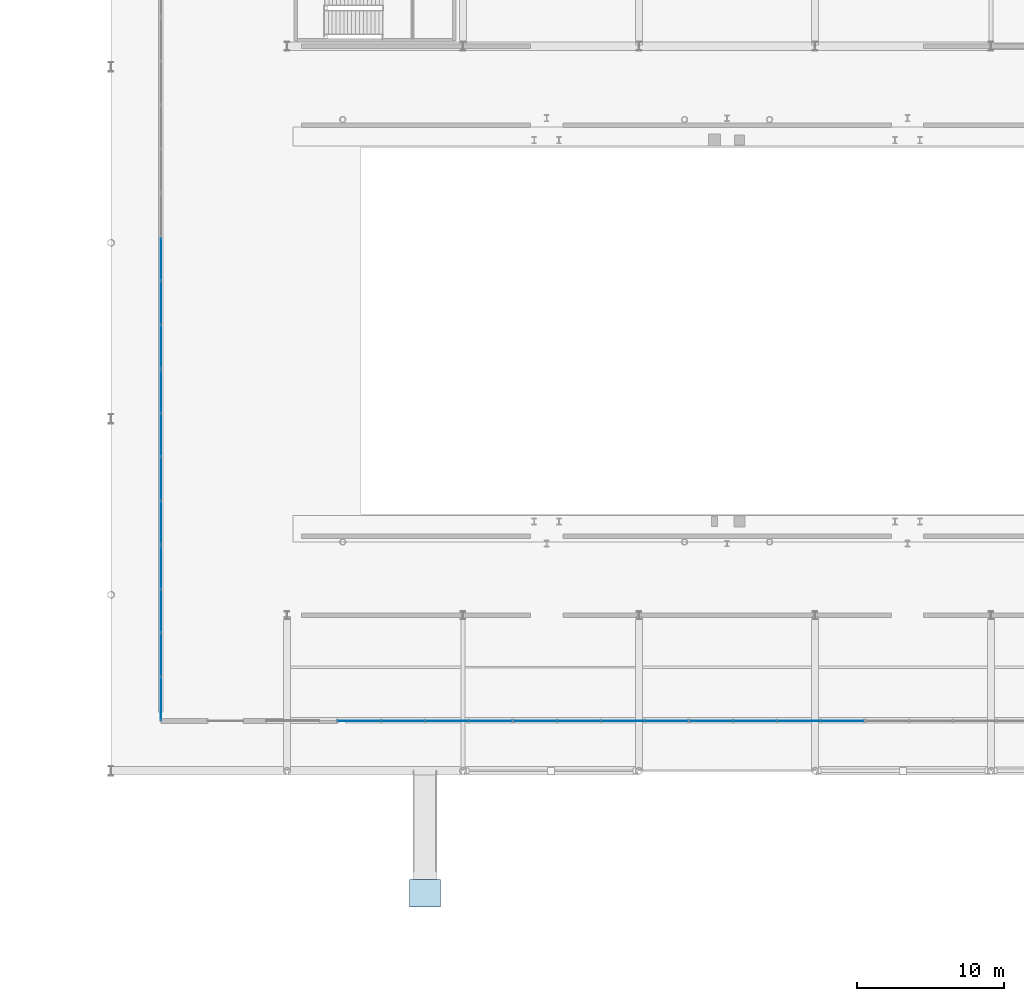
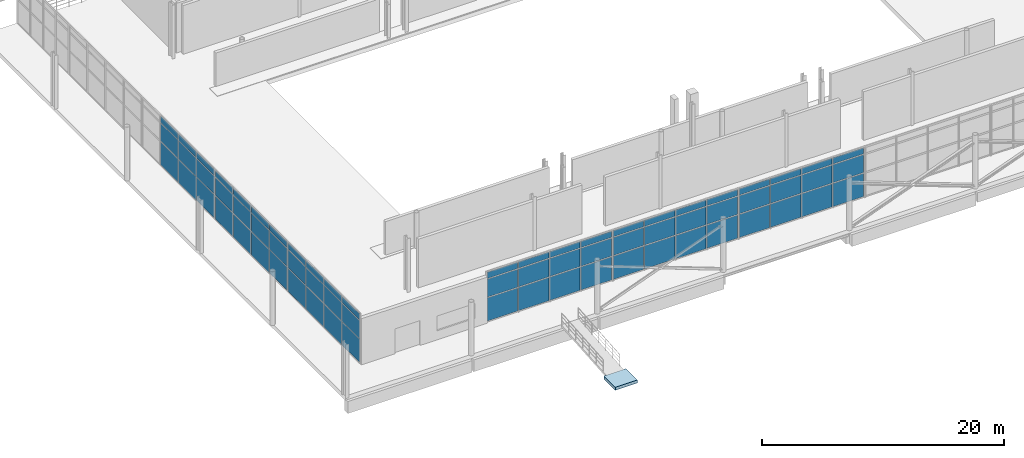
# One storey, part 46 of 85: 69 plates, 1 slab, 6 elements without a shape of their own.
"""IFC4 building model written with IfcOpenShell, lengths in metres."""

import ifcopenshell
import ifcopenshell.guid

model = None  # the IFC model being written
_history = None  # IfcOwnerHistory: only IFC2X3 demands one
_inside = {}  # id of a spatial element -> (the spatial element, [elements in it])
_under = {}  # id of a project, library or spatial element -> (it, [spatial elements below it])
_declared = {}  # id of a project -> (the project, [libraries it declares])
_typed = {}  # id of a type object -> (the type object, [elements of that type])
_made_of = {}  # id of a material, layer set ... -> (it, [elements and type objects made of it])


def new_model(schema):
    """Start an empty IFC model of exactly this schema.

    Asked for "IFC4X3", IfcOpenShell would pick the latest addendum, in which some entities
    have other attributes; the version numbers below select the first issue.
    IFC2X3 requires an IfcOwnerHistory on every rooted entity: one is made here for all.
    """
    global model, _history
    if schema == "IFC4X3":
        model = ifcopenshell.file(schema_version=(4, 3, 0, 0))
    else:
        model = ifcopenshell.file(schema=schema)
    _inside.clear()
    _under.clear()
    _declared.clear()
    _typed.clear()
    _made_of.clear()
    _history = None
    if model.schema == "IFC2X3":
        org = make("IfcOrganization", Name="unknown")
        user = make(
            "IfcPersonAndOrganization",
            ThePerson=make("IfcPerson", FamilyName="unknown"),
            TheOrganization=org,
        )
        app = make(
            "IfcApplication",
            ApplicationDeveloper=org,
            Version="unknown",
            ApplicationFullName="unknown",
            ApplicationIdentifier="unknown",
        )
        _history = make(
            "IfcOwnerHistory",
            OwningUser=user,
            OwningApplication=app,
            ChangeAction="ADDED",
            CreationDate=0,
        )
    return model


def make(cls, **values):
    """One entity of the class cls with the attributes given. An attribute that is None is left unset."""
    return model.create_entity(
        cls, **{name: value for name, value in values.items() if value is not None}
    )


def rooted(cls, **values):
    """An entity with a GlobalId (a new one), such as an element, a storey or a relation."""
    return make(cls, GlobalId=ifcopenshell.guid.new(), OwnerHistory=_history, **values)


def si_unit(unit_type, name, prefix=None):
    """IfcSIUnit, for example si_unit("LENGTHUNIT", "METRE", prefix="MILLI")."""
    return make("IfcSIUnit", UnitType=unit_type, Prefix=prefix, Name=name)


def assignment(units):
    """IfcUnitAssignment: the units of a project."""
    return None if units is None else make("IfcUnitAssignment", Units=units)


def point(xyz):
    """IfcCartesianPoint."""
    return None if xyz is None else make("IfcCartesianPoint", Coordinates=xyz)


def direction(xyz):
    """IfcDirection."""
    return None if xyz is None else make("IfcDirection", DirectionRatios=xyz)


def frame(location, z_axis=None, x_axis=None):
    """IfcAxis2Placement3D, a coordinate frame: its origin and axes. An axis left out is left unset."""
    return make(
        "IfcAxis2Placement3D",
        Location=point(location),
        Axis=direction(z_axis),
        RefDirection=direction(x_axis),
    )


def frame_2d(location, x_axis=None):
    """IfcAxis2Placement2D, a coordinate frame in the plane: its origin and x axis."""
    return make(
        "IfcAxis2Placement2D", Location=point(location), RefDirection=direction(x_axis)
    )


def origin():
    """The frame at (0, 0, 0) with its axes left unset."""
    return frame((0.0, 0.0, 0.0))


def origin_2d():
    """The frame at (0, 0) in the plane with its x axis left unset."""
    return frame_2d((0.0, 0.0))


def place(relative_to, where):
    """IfcLocalPlacement: puts the frame where relative to a parent placement (None: the world)."""
    return make(
        "IfcLocalPlacement", PlacementRelTo=relative_to, RelativePlacement=where
    )


def context(
    kind, dimensions, precision=None, world=None, true_north=None, identifier=None
):
    """IfcGeometricRepresentationContext, for example the 3D "Model" context."""
    return make(
        "IfcGeometricRepresentationContext",
        ContextIdentifier=identifier,
        ContextType=kind,
        CoordinateSpaceDimension=dimensions,
        Precision=precision,
        WorldCoordinateSystem=world,
        TrueNorth=true_north,
    )


def subcontext(parent, identifier, kind, view, scale=None):
    """IfcGeometricRepresentationSubContext, for example "Body" below "Model"."""
    return make(
        "IfcGeometricRepresentationSubContext",
        ContextIdentifier=identifier,
        ContextType=kind,
        ParentContext=parent,
        TargetScale=scale,
        TargetView=view,
    )


def project(units=None, contexts=None):
    """IfcProject with its units and contexts."""
    return rooted(
        "IfcProject",
        Name="project",
        RepresentationContexts=contexts,
        UnitsInContext=assignment(units),
    )


def spatial(cls, under=None, at=None, **own):
    """A site, building, storey or space (cls), placed at a placement, below another one or the project."""
    s = rooted(cls, ObjectPlacement=at, **own)
    if under is not None:
        _under.setdefault(under.id(), (under, []))[1].append(s)
    return s


def polyline(points):
    """IfcPolyline through the points."""
    return make("IfcPolyline", Points=[point(p) for p in points])


def profile(cls, at=None, kind="AREA", **sizes):
    """A parametric profile (cls). Its sizes go by their IFC names, for example OverallWidth=200.0."""
    return make(cls, ProfileType=kind, Position=at, **sizes)


def rectangle(**sizes):
    """IfcRectangleProfileDef."""
    return profile("IfcRectangleProfileDef", **sizes)


def outline(outer, holes=None, kind="AREA"):
    """IfcArbitraryClosedProfileDef: a profile drawn as a closed curve; with holes, ...WithVoids."""
    if holes is None:
        return make("IfcArbitraryClosedProfileDef", ProfileType=kind, OuterCurve=outer)
    return make(
        "IfcArbitraryProfileDefWithVoids",
        ProfileType=kind,
        OuterCurve=outer,
        InnerCurves=holes,
    )


def extrude(swept, where, along, depth):
    """IfcExtrudedAreaSolid: the profile swept, set in the frame where, extruded along a direction by depth."""
    return make(
        "IfcExtrudedAreaSolid",
        SweptArea=swept,
        Position=where,
        ExtrudedDirection=direction(along),
        Depth=depth,
    )


def shape(context_of_items, identifier, shape_type, items):
    """IfcShapeRepresentation: the items that make up one representation, for example the "Body"."""
    return make(
        "IfcShapeRepresentation",
        ContextOfItems=context_of_items,
        RepresentationIdentifier=identifier,
        RepresentationType=shape_type,
        Items=items,
    )


def material(Name=None, Category=None):
    """IfcMaterial."""
    return make("IfcMaterial", Name=Name, Category=Category)


def layer(
    of_material, thickness, ventilated=None, Name=None, Category=None, Priority=None
):
    """IfcMaterialLayer: one layer of a wall or slab, of a material (None: an air gap)."""
    return make(
        "IfcMaterialLayer",
        Material=of_material,
        LayerThickness=thickness,
        IsVentilated=ventilated,
        Name=Name,
        Category=Category,
        Priority=Priority,
    )


def layer_set(layers, Name=None):
    """IfcMaterialLayerSet."""
    return make("IfcMaterialLayerSet", MaterialLayers=layers, LayerSetName=Name)


def made_of(thing, what):
    """Note that an element or type object is made of a material, layer set ...; save() writes the relation."""
    if what is not None:
        _made_of.setdefault(what.id(), (what, []))[1].append(thing)
    return thing


def type_object(cls, material=None, **own):
    """A type object (cls), such as IfcWallType, which elements share."""
    return made_of(rooted(cls, **own), material)


def element(
    cls,
    number,
    at=None,
    inside=None,
    cuts=None,
    type_object=None,
    material=None,
    context=None,
    identifier="Body",
    shape_type=None,
    held_by="IfcProductDefinitionShape",
    body=None,
    shapes=None,
    **own,
):
    """One element of the class cls, such as IfcWall. Its Tag is "e" and its number.

    at: its placement. inside: the storey or other place that contains it. cuts: it is an
    opening in that element (IfcRelVoidsElement). A single representation is given by context,
    identifier, shape_type and body (its items); several are given by shapes. held_by: the class
    of the entity that holds the representations. save() writes the other relations.
    """
    e = rooted(cls, Tag="e%d" % number, ObjectPlacement=at, **own)
    if body is not None:
        shapes = [shape(context, identifier, shape_type, body)]
    if shapes is not None:
        e.Representation = make(held_by, Representations=shapes)
    if inside is not None:
        _inside.setdefault(inside.id(), (inside, []))[1].append(e)
    if cuts is not None:
        rooted(
            "IfcRelVoidsElement", RelatingBuildingElement=cuts, RelatedOpeningElement=e
        )
    if type_object is not None:
        _typed.setdefault(type_object.id(), (type_object, []))[1].append(e)
    return made_of(e, material)


def aggregate(whole, parts):
    """IfcRelAggregates: a whole, such as a stair, and the parts it consists of."""
    return rooted("IfcRelAggregates", RelatingObject=whole, RelatedObjects=parts)


def save(model, path):
    """Write the relations noted so far, then the file.

    IfcRelAggregates (storeys below a building ...), IfcRelContainedInSpatialStructure (elements
    in a storey), IfcRelDefinesByType, IfcRelAssociatesMaterial and IfcRelDeclares: one each for
    every whole, place, type object, material and project.
    """
    for whole, parts in _under.values():
        aggregate(whole, parts)
    for where, things in _inside.values():
        rooted(
            "IfcRelContainedInSpatialStructure",
            RelatedElements=things,
            RelatingStructure=where,
        )
    for kind, things in _typed.values():
        rooted("IfcRelDefinesByType", RelatedObjects=things, RelatingType=kind)
    for what, things in _made_of.values():
        rooted("IfcRelAssociatesMaterial", RelatedObjects=things, RelatingMaterial=what)
    for by, libraries in _declared.values():
        rooted("IfcRelDeclares", RelatingContext=by, RelatedDefinitions=libraries)
    model.write(path)


model = new_model("IFC4")

# Units and contexts
model_context = context("Model", 3, precision=1e-05, world=origin(), true_north=direction((0.0, 1.0)))
body_context = subcontext(model_context, "Body", "Model", "MODEL_VIEW")
ifc_project = project(units=[si_unit("LENGTHUNIT", "METRE"), si_unit("AREAUNIT", "SQUARE_METRE"), si_unit("VOLUMEUNIT", "CUBIC_METRE"), si_unit("PLANEANGLEUNIT", "RADIAN"), si_unit("MASSUNIT", "GRAM", prefix="KILO"), si_unit("THERMODYNAMICTEMPERATUREUNIT", "KELVIN"), si_unit("POWERUNIT", "WATT")], contexts=[model_context])

# Site, building, storey
site_placement = place(None, origin())
site = spatial("IfcSite", under=ifc_project, at=site_placement, CompositionType="ELEMENT")
building_placement = place(site_placement, origin())
building = spatial("IfcBuilding", under=site, at=building_placement, Name="Solmara Park Aquatics Centre", CompositionType="ELEMENT")
storey_placement = place(building_placement, origin())
storey = spatial("IfcBuildingStorey", under=building, at=storey_placement, Name="L00", CompositionType="ELEMENT", Elevation=0.0)

# Curtain wall, plates
ifc_material_1 = material(Name="Anodised Aluminium Curtain Wall Framing", Category="aluminium")
curtain_wall_type = type_object("IfcCurtainWallType", Name="ARC-CW-SYS01", PredefinedType="USERDEFINED", material=ifc_material_1)
curtain_wall_1_placement = place(storey_placement, origin())
curtain_wall_1 = element("IfcCurtainWall", 1, at=curtain_wall_1_placement, inside=storey, type_object=curtain_wall_type, Name="Curtain Wall CW-001", ObjectType="CURTAIN WALL", PredefinedType="USERDEFINED")
ifc_material_2 = material(Name="Double Low-E Solar-Control Glazing", Category="glass")
ifc_layer_1 = layer(ifc_material_2, 0.035888671875, Name="Double Low-E Solar-Control Glazing")
ifc_layer_set_1 = layer_set([ifc_layer_1], Name="Double Low-E Solar-Control Glazing")
plate_type_1 = type_object("IfcPlateType", Name="ARC-CWP-GLZ36-2900x1800", PredefinedType="CURTAIN_PANEL", material=ifc_layer_set_1)
plate_1_placement = place(storey_placement, frame((29.510009765625, 16.0, 2.48974609375), z_axis=(0.0, 0.0, 1.0), x_axis=(1.0, 0.0, 0.0)))
plate_1 = element("IfcPlate", 2, at=plate_1_placement, type_object=plate_type_1, Name="CW-001 panel 2", PredefinedType="CURTAIN_PANEL", context=body_context, shape_type="SweptSolid", body=[
    extrude(rectangle(XDim=2.89990234375, YDim=0.035888671875, at=origin_2d()), origin(), (0.0, 0.0, 1.0), 1.800048828125),
])
plate_2_placement = place(storey_placement, frame((32.489990234375, 16.0, 2.48974609375), z_axis=(0.0, 0.0, 1.0), x_axis=(1.0, 0.0, 0.0)))
plate_2 = element("IfcPlate", 3, at=plate_2_placement, type_object=plate_type_1, Name="CW-001 panel 5", PredefinedType="CURTAIN_PANEL", context=body_context, shape_type="SweptSolid", body=[
    extrude(rectangle(XDim=2.89990234375, YDim=0.035888671875, at=origin_2d()), origin(), (0.0, 0.0, 1.0), 1.800048828125),
])
plate_3_placement = place(storey_placement, frame((35.469970703125, 16.0, 2.48974609375), z_axis=(0.0, 0.0, 1.0), x_axis=(1.0, 0.0, 0.0)))
plate_3 = element("IfcPlate", 4, at=plate_3_placement, type_object=plate_type_1, Name="CW-001 panel 8", PredefinedType="CURTAIN_PANEL", context=body_context, shape_type="SweptSolid", body=[
    extrude(rectangle(XDim=2.89990234375, YDim=0.035888671875, at=origin_2d()), origin(), (0.0, 0.0, 1.0), 1.800048828125),
])
plate_4_placement = place(storey_placement, frame((38.449951171875, 16.0, 2.48974609375), z_axis=(0.0, 0.0, 1.0), x_axis=(1.0, 0.0, 0.0)))
plate_4 = element("IfcPlate", 5, at=plate_4_placement, type_object=plate_type_1, Name="CW-001 panel 11", PredefinedType="CURTAIN_PANEL", context=body_context, shape_type="SweptSolid", body=[
    extrude(rectangle(XDim=2.89990234375, YDim=0.035888671875, at=origin_2d()), origin(), (0.0, 0.0, 1.0), 1.800048828125),
])

curtain_wall_2_placement = place(storey_placement, origin())
curtain_wall_2 = element("IfcCurtainWall", 6, at=curtain_wall_2_placement, inside=storey, type_object=curtain_wall_type, Name="Curtain Wall CW-003", ObjectType="CURTAIN WALL", PredefinedType="USERDEFINED")
plate_5_placement = place(storey_placement, frame((41.510009765625, 16.0, 2.48974609375), z_axis=(0.0, 0.0, 1.0), x_axis=(1.0, 0.0, 0.0)))
plate_5 = element("IfcPlate", 7, at=plate_5_placement, type_object=plate_type_1, Name="CW-003 panel 2", PredefinedType="CURTAIN_PANEL", context=body_context, shape_type="SweptSolid", body=[
    extrude(rectangle(XDim=2.89990234375, YDim=0.035888671875, at=origin_2d()), origin(), (0.0, 0.0, 1.0), 1.800048828125),
])
plate_6_placement = place(storey_placement, frame((44.489990234375, 16.0, 2.48974609375), z_axis=(0.0, 0.0, 1.0), x_axis=(1.0, 0.0, 0.0)))
plate_6 = element("IfcPlate", 8, at=plate_6_placement, type_object=plate_type_1, Name="CW-003 panel 5", PredefinedType="CURTAIN_PANEL", context=body_context, shape_type="SweptSolid", body=[
    extrude(rectangle(XDim=2.89990234375, YDim=0.035888671875, at=origin_2d()), origin(), (0.0, 0.0, 1.0), 1.800048828125),
])
plate_7_placement = place(storey_placement, frame((47.469970703125, 16.0, 2.48974609375), z_axis=(0.0, 0.0, 1.0), x_axis=(1.0, 0.0, 0.0)))
plate_7 = element("IfcPlate", 9, at=plate_7_placement, type_object=plate_type_1, Name="CW-003 panel 8", PredefinedType="CURTAIN_PANEL", context=body_context, shape_type="SweptSolid", body=[
    extrude(rectangle(XDim=2.89990234375, YDim=0.035888671875, at=origin_2d()), origin(), (0.0, 0.0, 1.0), 1.800048828125),
])
plate_8_placement = place(storey_placement, frame((50.449951171875, 16.0, 2.48974609375), z_axis=(0.0, 0.0, 1.0), x_axis=(1.0, 0.0, 0.0)))
plate_8 = element("IfcPlate", 10, at=plate_8_placement, type_object=plate_type_1, Name="CW-003 panel 11", PredefinedType="CURTAIN_PANEL", context=body_context, shape_type="SweptSolid", body=[
    extrude(rectangle(XDim=2.89990234375, YDim=0.035888671875, at=origin_2d()), origin(), (0.0, 0.0, 1.0), 1.800048828125),
])

curtain_wall_3_placement = place(storey_placement, origin())
curtain_wall_3 = element("IfcCurtainWall", 11, at=curtain_wall_3_placement, inside=storey, type_object=curtain_wall_type, Name="Curtain Wall CW-005", ObjectType="CURTAIN WALL", PredefinedType="USERDEFINED")
plate_9_placement = place(storey_placement, frame((53.510009765625, 16.0, 2.48974609375), z_axis=(0.0, 0.0, 1.0), x_axis=(1.0, 0.0, 0.0)))
plate_9 = element("IfcPlate", 12, at=plate_9_placement, type_object=plate_type_1, Name="CW-005 panel 2", PredefinedType="CURTAIN_PANEL", context=body_context, shape_type="SweptSolid", body=[
    extrude(rectangle(XDim=2.89990234375, YDim=0.035888671875, at=origin_2d()), origin(), (0.0, 0.0, 1.0), 1.800048828125),
])
plate_10_placement = place(storey_placement, frame((56.489990234375, 16.0, 2.48974609375), z_axis=(0.0, 0.0, 1.0), x_axis=(1.0, 0.0, 0.0)))
plate_10 = element("IfcPlate", 13, at=plate_10_placement, type_object=plate_type_1, Name="CW-005 panel 5", PredefinedType="CURTAIN_PANEL", context=body_context, shape_type="SweptSolid", body=[
    extrude(rectangle(XDim=2.89990234375, YDim=0.035888671875, at=origin_2d()), origin(), (0.0, 0.0, 1.0), 1.800048828125),
])
plate_11_placement = place(storey_placement, frame((59.469970703125, 16.0, 2.48974609375), z_axis=(0.0, 0.0, 1.0), x_axis=(1.0, 0.0, 0.0)))
plate_11 = element("IfcPlate", 14, at=plate_11_placement, type_object=plate_type_1, Name="CW-005 panel 8", PredefinedType="CURTAIN_PANEL", context=body_context, shape_type="SweptSolid", body=[
    extrude(rectangle(XDim=2.89990234375, YDim=0.035888671875, at=origin_2d()), origin(), (0.0, 0.0, 1.0), 1.800048828125),
])
plate_12_placement = place(storey_placement, frame((62.449951171875, 16.0, 2.48974609375), z_axis=(0.0, 0.0, 1.0), x_axis=(1.0, 0.0, 0.0)))
plate_12 = element("IfcPlate", 15, at=plate_12_placement, type_object=plate_type_1, Name="CW-005 panel 11", PredefinedType="CURTAIN_PANEL", context=body_context, shape_type="SweptSolid", body=[
    extrude(rectangle(XDim=2.89990234375, YDim=0.035888671875, at=origin_2d()), origin(), (0.0, 0.0, 1.0), 1.800048828125),
])

curtain_wall_4_placement = place(storey_placement, origin())
curtain_wall_4 = element("IfcCurtainWall", 16, at=curtain_wall_4_placement, inside=storey, type_object=curtain_wall_type, Name="Curtain Wall CW-011", ObjectType="CURTAIN WALL", PredefinedType="USERDEFINED")
plate_13_placement = place(storey_placement, frame((16.0, 17.510009765625, 2.48974609375), z_axis=(0.0, 0.0, 1.0), x_axis=(0.0, 1.0, 0.0)))
plate_13 = element("IfcPlate", 17, at=plate_13_placement, type_object=plate_type_1, Name="CW-011 panel 2", PredefinedType="CURTAIN_PANEL", context=body_context, shape_type="SweptSolid", body=[
    extrude(rectangle(XDim=2.89990234375, YDim=0.035888671875, at=origin_2d()), origin(), (0.0, 0.0, 1.0), 1.800048828125),
])
plate_14_placement = place(storey_placement, frame((16.0, 20.489990234375, 2.48974609375), z_axis=(0.0, 0.0, 1.0), x_axis=(0.0, 1.0, 0.0)))
plate_14 = element("IfcPlate", 18, at=plate_14_placement, type_object=plate_type_1, Name="CW-011 panel 5", PredefinedType="CURTAIN_PANEL", context=body_context, shape_type="SweptSolid", body=[
    extrude(rectangle(XDim=2.89990234375, YDim=0.035888671875, at=origin_2d()), origin(), (0.0, 0.0, 1.0), 1.800048828125),
])
plate_15_placement = place(storey_placement, frame((16.0, 23.469970703125, 2.48974609375), z_axis=(0.0, 0.0, 1.0), x_axis=(0.0, 1.0, 0.0)))
plate_15 = element("IfcPlate", 19, at=plate_15_placement, type_object=plate_type_1, Name="CW-011 panel 8", PredefinedType="CURTAIN_PANEL", context=body_context, shape_type="SweptSolid", body=[
    extrude(rectangle(XDim=2.89990234375, YDim=0.035888671875, at=origin_2d()), origin(), (0.0, 0.0, 1.0), 1.800048828125),
])
plate_16_placement = place(storey_placement, frame((16.0, 26.449951171875, 2.48974609375), z_axis=(0.0, 0.0, 1.0), x_axis=(0.0, 1.0, 0.0)))
plate_16 = element("IfcPlate", 20, at=plate_16_placement, type_object=plate_type_1, Name="CW-011 panel 11", PredefinedType="CURTAIN_PANEL", context=body_context, shape_type="SweptSolid", body=[
    extrude(rectangle(XDim=2.89990234375, YDim=0.035888671875, at=origin_2d()), origin(), (0.0, 0.0, 1.0), 1.800048828125),
])

curtain_wall_5_placement = place(storey_placement, origin())
curtain_wall_5 = element("IfcCurtainWall", 21, at=curtain_wall_5_placement, inside=storey, type_object=curtain_wall_type, Name="Curtain Wall CW-013", ObjectType="CURTAIN WALL", PredefinedType="USERDEFINED")
plate_17_placement = place(storey_placement, frame((16.0, 29.510009765625, 2.48974609375), z_axis=(0.0, 0.0, 1.0), x_axis=(0.0, 1.0, 0.0)))
plate_17 = element("IfcPlate", 22, at=plate_17_placement, type_object=plate_type_1, Name="CW-013 panel 2", PredefinedType="CURTAIN_PANEL", context=body_context, shape_type="SweptSolid", body=[
    extrude(rectangle(XDim=2.89990234375, YDim=0.035888671875, at=origin_2d()), origin(), (0.0, 0.0, 1.0), 1.800048828125),
])
plate_18_placement = place(storey_placement, frame((16.0, 32.489990234375, 2.48974609375), z_axis=(0.0, 0.0, 1.0), x_axis=(0.0, 1.0, 0.0)))
plate_18 = element("IfcPlate", 23, at=plate_18_placement, type_object=plate_type_1, Name="CW-013 panel 5", PredefinedType="CURTAIN_PANEL", context=body_context, shape_type="SweptSolid", body=[
    extrude(rectangle(XDim=2.89990234375, YDim=0.035888671875, at=origin_2d()), origin(), (0.0, 0.0, 1.0), 1.800048828125),
])
plate_19_placement = place(storey_placement, frame((16.0, 35.469970703125, 2.48974609375), z_axis=(0.0, 0.0, 1.0), x_axis=(0.0, 1.0, 0.0)))
plate_19 = element("IfcPlate", 24, at=plate_19_placement, type_object=plate_type_1, Name="CW-013 panel 8", PredefinedType="CURTAIN_PANEL", context=body_context, shape_type="SweptSolid", body=[
    extrude(rectangle(XDim=2.89990234375, YDim=0.035888671875, at=origin_2d()), origin(), (0.0, 0.0, 1.0), 1.800048828125),
])
plate_20_placement = place(storey_placement, frame((16.0, 38.449951171875, 2.48974609375), z_axis=(0.0, 0.0, 1.0), x_axis=(0.0, 1.0, 0.0)))
plate_20 = element("IfcPlate", 25, at=plate_20_placement, type_object=plate_type_1, Name="CW-013 panel 11", PredefinedType="CURTAIN_PANEL", context=body_context, shape_type="SweptSolid", body=[
    extrude(rectangle(XDim=2.89990234375, YDim=0.035888671875, at=origin_2d()), origin(), (0.0, 0.0, 1.0), 1.800048828125),
])

curtain_wall_6_placement = place(storey_placement, origin())
curtain_wall_6 = element("IfcCurtainWall", 26, at=curtain_wall_6_placement, inside=storey, type_object=curtain_wall_type, Name="Curtain Wall CW-015", ObjectType="CURTAIN WALL", PredefinedType="USERDEFINED")
plate_21_placement = place(storey_placement, frame((16.0, 41.510009765625, 2.48974609375), z_axis=(0.0, 0.0, 1.0), x_axis=(0.0, 1.0, 0.0)))
plate_21 = element("IfcPlate", 27, at=plate_21_placement, type_object=plate_type_1, Name="CW-015 panel 2", PredefinedType="CURTAIN_PANEL", context=body_context, shape_type="SweptSolid", body=[
    extrude(rectangle(XDim=2.89990234375, YDim=0.035888671875, at=origin_2d()), origin(), (0.0, 0.0, 1.0), 1.800048828125),
])
plate_22_placement = place(storey_placement, frame((16.0, 44.489990234375, 2.48974609375), z_axis=(0.0, 0.0, 1.0), x_axis=(0.0, 1.0, 0.0)))
plate_22 = element("IfcPlate", 28, at=plate_22_placement, type_object=plate_type_1, Name="CW-015 panel 5", PredefinedType="CURTAIN_PANEL", context=body_context, shape_type="SweptSolid", body=[
    extrude(rectangle(XDim=2.89990234375, YDim=0.035888671875, at=origin_2d()), origin(), (0.0, 0.0, 1.0), 1.800048828125),
])
plate_23_placement = place(storey_placement, frame((16.0, 47.469970703125, 2.48974609375), z_axis=(0.0, 0.0, 1.0), x_axis=(0.0, 1.0, 0.0)))
plate_23 = element("IfcPlate", 29, at=plate_23_placement, type_object=plate_type_1, Name="CW-015 panel 8", PredefinedType="CURTAIN_PANEL", context=body_context, shape_type="SweptSolid", body=[
    extrude(rectangle(XDim=2.89990234375, YDim=0.035888671875, at=origin_2d()), origin(), (0.0, 0.0, 1.0), 1.800048828125),
])

# Plate
ifc_layer_2 = layer(ifc_material_2, 0.035888671875, Name="Double Low-E Solar-Control Glazing")
ifc_layer_set_2 = layer_set([ifc_layer_2], Name="Double Low-E Solar-Control Glazing")
plate_type_2 = type_object("IfcPlateType", Name="ARC-CWP-GLZ36-2900x2320", PredefinedType="CURTAIN_PANEL", material=ifc_layer_set_2)
plate_24_placement = place(storey_placement, frame((29.510009765625, 16.0, 0.080078125), z_axis=(0.0, 0.0, 1.0), x_axis=(1.0, 0.0, 0.0)))
plate_24 = element("IfcPlate", 30, at=plate_24_placement, type_object=plate_type_2, Name="CW-001 panel 1", PredefinedType="CURTAIN_PANEL", context=body_context, shape_type="SweptSolid", body=[
    extrude(rectangle(XDim=2.89990234375, YDim=0.035888671875, at=origin_2d()), origin(), (0.0, 0.0, 1.0), 2.330078125),
])

plate_25_placement = place(storey_placement, frame((32.489990234375, 16.0, 0.080078125), z_axis=(0.0, 0.0, 1.0), x_axis=(1.0, 0.0, 0.0)))
plate_25 = element("IfcPlate", 31, at=plate_25_placement, type_object=plate_type_2, Name="CW-001 panel 4", PredefinedType="CURTAIN_PANEL", context=body_context, shape_type="SweptSolid", body=[
    extrude(rectangle(XDim=2.89990234375, YDim=0.035888671875, at=origin_2d()), origin(), (0.0, 0.0, 1.0), 2.330078125),
])

plate_26_placement = place(storey_placement, frame((35.469970703125, 16.0, 0.080078125), z_axis=(0.0, 0.0, 1.0), x_axis=(1.0, 0.0, 0.0)))
plate_26 = element("IfcPlate", 32, at=plate_26_placement, type_object=plate_type_2, Name="CW-001 panel 7", PredefinedType="CURTAIN_PANEL", context=body_context, shape_type="SweptSolid", body=[
    extrude(rectangle(XDim=2.89990234375, YDim=0.035888671875, at=origin_2d()), origin(), (0.0, 0.0, 1.0), 2.330078125),
])

plate_27_placement = place(storey_placement, frame((38.449951171875, 16.0, 0.080078125), z_axis=(0.0, 0.0, 1.0), x_axis=(1.0, 0.0, 0.0)))
plate_27 = element("IfcPlate", 33, at=plate_27_placement, type_object=plate_type_2, Name="CW-001 panel 10", PredefinedType="CURTAIN_PANEL", context=body_context, shape_type="SweptSolid", body=[
    extrude(rectangle(XDim=2.89990234375, YDim=0.035888671875, at=origin_2d()), origin(), (0.0, 0.0, 1.0), 2.330078125),
])

plate_28_placement = place(storey_placement, frame((41.510009765625, 16.0, 0.080078125), z_axis=(0.0, 0.0, 1.0), x_axis=(1.0, 0.0, 0.0)))
plate_28 = element("IfcPlate", 34, at=plate_28_placement, type_object=plate_type_2, Name="CW-003 panel 1", PredefinedType="CURTAIN_PANEL", context=body_context, shape_type="SweptSolid", body=[
    extrude(rectangle(XDim=2.89990234375, YDim=0.035888671875, at=origin_2d()), origin(), (0.0, 0.0, 1.0), 2.330078125),
])

plate_29_placement = place(storey_placement, frame((44.489990234375, 16.0, 0.080078125), z_axis=(0.0, 0.0, 1.0), x_axis=(1.0, 0.0, 0.0)))
plate_29 = element("IfcPlate", 35, at=plate_29_placement, type_object=plate_type_2, Name="CW-003 panel 4", PredefinedType="CURTAIN_PANEL", context=body_context, shape_type="SweptSolid", body=[
    extrude(rectangle(XDim=2.89990234375, YDim=0.035888671875, at=origin_2d()), origin(), (0.0, 0.0, 1.0), 2.330078125),
])

plate_30_placement = place(storey_placement, frame((47.469970703125, 16.0, 0.080078125), z_axis=(0.0, 0.0, 1.0), x_axis=(1.0, 0.0, 0.0)))
plate_30 = element("IfcPlate", 36, at=plate_30_placement, type_object=plate_type_2, Name="CW-003 panel 7", PredefinedType="CURTAIN_PANEL", context=body_context, shape_type="SweptSolid", body=[
    extrude(rectangle(XDim=2.89990234375, YDim=0.035888671875, at=origin_2d()), origin(), (0.0, 0.0, 1.0), 2.330078125),
])

plate_31_placement = place(storey_placement, frame((50.449951171875, 16.0, 0.080078125), z_axis=(0.0, 0.0, 1.0), x_axis=(1.0, 0.0, 0.0)))
plate_31 = element("IfcPlate", 37, at=plate_31_placement, type_object=plate_type_2, Name="CW-003 panel 10", PredefinedType="CURTAIN_PANEL", context=body_context, shape_type="SweptSolid", body=[
    extrude(rectangle(XDim=2.89990234375, YDim=0.035888671875, at=origin_2d()), origin(), (0.0, 0.0, 1.0), 2.330078125),
])

plate_32_placement = place(storey_placement, frame((53.510009765625, 16.0, 0.080078125), z_axis=(0.0, 0.0, 1.0), x_axis=(1.0, 0.0, 0.0)))
plate_32 = element("IfcPlate", 38, at=plate_32_placement, type_object=plate_type_2, Name="CW-005 panel 1", PredefinedType="CURTAIN_PANEL", context=body_context, shape_type="SweptSolid", body=[
    extrude(rectangle(XDim=2.89990234375, YDim=0.035888671875, at=origin_2d()), origin(), (0.0, 0.0, 1.0), 2.330078125),
])

plate_33_placement = place(storey_placement, frame((56.489990234375, 16.0, 0.080078125), z_axis=(0.0, 0.0, 1.0), x_axis=(1.0, 0.0, 0.0)))
plate_33 = element("IfcPlate", 39, at=plate_33_placement, type_object=plate_type_2, Name="CW-005 panel 4", PredefinedType="CURTAIN_PANEL", context=body_context, shape_type="SweptSolid", body=[
    extrude(rectangle(XDim=2.89990234375, YDim=0.035888671875, at=origin_2d()), origin(), (0.0, 0.0, 1.0), 2.330078125),
])

plate_34_placement = place(storey_placement, frame((59.469970703125, 16.0, 0.080078125), z_axis=(0.0, 0.0, 1.0), x_axis=(1.0, 0.0, 0.0)))
plate_34 = element("IfcPlate", 40, at=plate_34_placement, type_object=plate_type_2, Name="CW-005 panel 7", PredefinedType="CURTAIN_PANEL", context=body_context, shape_type="SweptSolid", body=[
    extrude(rectangle(XDim=2.89990234375, YDim=0.035888671875, at=origin_2d()), origin(), (0.0, 0.0, 1.0), 2.330078125),
])

plate_35_placement = place(storey_placement, frame((62.449951171875, 16.0, 0.080078125), z_axis=(0.0, 0.0, 1.0), x_axis=(1.0, 0.0, 0.0)))
plate_35 = element("IfcPlate", 41, at=plate_35_placement, type_object=plate_type_2, Name="CW-005 panel 10", PredefinedType="CURTAIN_PANEL", context=body_context, shape_type="SweptSolid", body=[
    extrude(rectangle(XDim=2.89990234375, YDim=0.035888671875, at=origin_2d()), origin(), (0.0, 0.0, 1.0), 2.330078125),
])

plate_36_placement = place(storey_placement, frame((16.0, 17.510009765625, 0.080078125), z_axis=(0.0, 0.0, 1.0), x_axis=(0.0, 1.0, 0.0)))
plate_36 = element("IfcPlate", 42, at=plate_36_placement, type_object=plate_type_2, Name="CW-011 panel 1", PredefinedType="CURTAIN_PANEL", context=body_context, shape_type="SweptSolid", body=[
    extrude(rectangle(XDim=2.89990234375, YDim=0.035888671875, at=origin_2d()), origin(), (0.0, 0.0, 1.0), 2.330078125),
])

plate_37_placement = place(storey_placement, frame((16.0, 20.489990234375, 0.080078125), z_axis=(0.0, 0.0, 1.0), x_axis=(0.0, 1.0, 0.0)))
plate_37 = element("IfcPlate", 43, at=plate_37_placement, type_object=plate_type_2, Name="CW-011 panel 4", PredefinedType="CURTAIN_PANEL", context=body_context, shape_type="SweptSolid", body=[
    extrude(rectangle(XDim=2.89990234375, YDim=0.035888671875, at=origin_2d()), origin(), (0.0, 0.0, 1.0), 2.330078125),
])

plate_38_placement = place(storey_placement, frame((16.0, 23.469970703125, 0.080078125), z_axis=(0.0, 0.0, 1.0), x_axis=(0.0, 1.0, 0.0)))
plate_38 = element("IfcPlate", 44, at=plate_38_placement, type_object=plate_type_2, Name="CW-011 panel 7", PredefinedType="CURTAIN_PANEL", context=body_context, shape_type="SweptSolid", body=[
    extrude(rectangle(XDim=2.89990234375, YDim=0.035888671875, at=origin_2d()), origin(), (0.0, 0.0, 1.0), 2.330078125),
])

plate_39_placement = place(storey_placement, frame((16.0, 26.449951171875, 0.080078125), z_axis=(0.0, 0.0, 1.0), x_axis=(0.0, 1.0, 0.0)))
plate_39 = element("IfcPlate", 45, at=plate_39_placement, type_object=plate_type_2, Name="CW-011 panel 10", PredefinedType="CURTAIN_PANEL", context=body_context, shape_type="SweptSolid", body=[
    extrude(rectangle(XDim=2.89990234375, YDim=0.035888671875, at=origin_2d()), origin(), (0.0, 0.0, 1.0), 2.330078125),
])

plate_40_placement = place(storey_placement, frame((16.0, 29.510009765625, 0.080078125), z_axis=(0.0, 0.0, 1.0), x_axis=(0.0, 1.0, 0.0)))
plate_40 = element("IfcPlate", 46, at=plate_40_placement, type_object=plate_type_2, Name="CW-013 panel 1", PredefinedType="CURTAIN_PANEL", context=body_context, shape_type="SweptSolid", body=[
    extrude(rectangle(XDim=2.89990234375, YDim=0.035888671875, at=origin_2d()), origin(), (0.0, 0.0, 1.0), 2.330078125),
])

plate_41_placement = place(storey_placement, frame((16.0, 32.489990234375, 0.080078125), z_axis=(0.0, 0.0, 1.0), x_axis=(0.0, 1.0, 0.0)))
plate_41 = element("IfcPlate", 47, at=plate_41_placement, type_object=plate_type_2, Name="CW-013 panel 4", PredefinedType="CURTAIN_PANEL", context=body_context, shape_type="SweptSolid", body=[
    extrude(rectangle(XDim=2.89990234375, YDim=0.035888671875, at=origin_2d()), origin(), (0.0, 0.0, 1.0), 2.330078125),
])

plate_42_placement = place(storey_placement, frame((16.0, 35.469970703125, 0.080078125), z_axis=(0.0, 0.0, 1.0), x_axis=(0.0, 1.0, 0.0)))
plate_42 = element("IfcPlate", 48, at=plate_42_placement, type_object=plate_type_2, Name="CW-013 panel 7", PredefinedType="CURTAIN_PANEL", context=body_context, shape_type="SweptSolid", body=[
    extrude(rectangle(XDim=2.89990234375, YDim=0.035888671875, at=origin_2d()), origin(), (0.0, 0.0, 1.0), 2.330078125),
])

plate_43_placement = place(storey_placement, frame((16.0, 38.449951171875, 0.080078125), z_axis=(0.0, 0.0, 1.0), x_axis=(0.0, 1.0, 0.0)))
plate_43 = element("IfcPlate", 49, at=plate_43_placement, type_object=plate_type_2, Name="CW-013 panel 10", PredefinedType="CURTAIN_PANEL", context=body_context, shape_type="SweptSolid", body=[
    extrude(rectangle(XDim=2.89990234375, YDim=0.035888671875, at=origin_2d()), origin(), (0.0, 0.0, 1.0), 2.330078125),
])

plate_44_placement = place(storey_placement, frame((16.0, 41.510009765625, 0.080078125), z_axis=(0.0, 0.0, 1.0), x_axis=(0.0, 1.0, 0.0)))
plate_44 = element("IfcPlate", 50, at=plate_44_placement, type_object=plate_type_2, Name="CW-015 panel 1", PredefinedType="CURTAIN_PANEL", context=body_context, shape_type="SweptSolid", body=[
    extrude(rectangle(XDim=2.89990234375, YDim=0.035888671875, at=origin_2d()), origin(), (0.0, 0.0, 1.0), 2.330078125),
])

plate_45_placement = place(storey_placement, frame((16.0, 44.489990234375, 0.080078125), z_axis=(0.0, 0.0, 1.0), x_axis=(0.0, 1.0, 0.0)))
plate_45 = element("IfcPlate", 51, at=plate_45_placement, type_object=plate_type_2, Name="CW-015 panel 4", PredefinedType="CURTAIN_PANEL", context=body_context, shape_type="SweptSolid", body=[
    extrude(rectangle(XDim=2.89990234375, YDim=0.035888671875, at=origin_2d()), origin(), (0.0, 0.0, 1.0), 2.330078125),
])

plate_46_placement = place(storey_placement, frame((16.0, 47.469970703125, 0.080078125), z_axis=(0.0, 0.0, 1.0), x_axis=(0.0, 1.0, 0.0)))
plate_46 = element("IfcPlate", 52, at=plate_46_placement, type_object=plate_type_2, Name="CW-015 panel 7", PredefinedType="CURTAIN_PANEL", context=body_context, shape_type="SweptSolid", body=[
    extrude(rectangle(XDim=2.89990234375, YDim=0.035888671875, at=origin_2d()), origin(), (0.0, 0.0, 1.0), 2.330078125),
])

ifc_material_3 = material(Name="Insulated Anodised Aluminium Spandrel Panel", Category="aluminium")
ifc_layer_3 = layer(ifc_material_3, 0.0439453125, Name="Insulated Anodised Aluminium Spandrel Panel")
ifc_layer_set_3 = layer_set([ifc_layer_3], Name="Insulated Anodised Aluminium Spandrel Panel")
plate_type_3 = type_object("IfcPlateType", Name="ARC-CWP-SPN44-2900x620", PredefinedType="CURTAIN_PANEL", material=ifc_layer_set_3)
plate_47_placement = place(storey_placement, frame((29.510009765625, 16.0, 4.3701171875), z_axis=(0.0, 0.0, 1.0), x_axis=(1.0, 0.0, 0.0)))
plate_47 = element("IfcPlate", 53, at=plate_47_placement, type_object=plate_type_3, Name="CW-001 panel 3", PredefinedType="CURTAIN_PANEL", context=body_context, shape_type="SweptSolid", body=[
    extrude(rectangle(XDim=2.89990234375, YDim=0.0439453125, at=origin_2d()), origin(), (0.0, 0.0, 1.0), 0.6298828125),
])

plate_48_placement = place(storey_placement, frame((32.489990234375, 16.0, 4.3701171875), z_axis=(0.0, 0.0, 1.0), x_axis=(1.0, 0.0, 0.0)))
plate_48 = element("IfcPlate", 54, at=plate_48_placement, type_object=plate_type_3, Name="CW-001 panel 6", PredefinedType="CURTAIN_PANEL", context=body_context, shape_type="SweptSolid", body=[
    extrude(rectangle(XDim=2.89990234375, YDim=0.0439453125, at=origin_2d()), origin(), (0.0, 0.0, 1.0), 0.6298828125),
])

plate_49_placement = place(storey_placement, frame((35.469970703125, 16.0, 4.3701171875), z_axis=(0.0, 0.0, 1.0), x_axis=(1.0, 0.0, 0.0)))
plate_49 = element("IfcPlate", 55, at=plate_49_placement, type_object=plate_type_3, Name="CW-001 panel 9", PredefinedType="CURTAIN_PANEL", context=body_context, shape_type="SweptSolid", body=[
    extrude(rectangle(XDim=2.89990234375, YDim=0.0439453125, at=origin_2d()), origin(), (0.0, 0.0, 1.0), 0.6298828125),
])

plate_50_placement = place(storey_placement, frame((38.449951171875, 16.0, 4.3701171875), z_axis=(0.0, 0.0, 1.0), x_axis=(1.0, 0.0, 0.0)))
plate_50 = element("IfcPlate", 56, at=plate_50_placement, type_object=plate_type_3, Name="CW-001 panel 12", PredefinedType="CURTAIN_PANEL", context=body_context, shape_type="SweptSolid", body=[
    extrude(rectangle(XDim=2.89990234375, YDim=0.0439453125, at=origin_2d()), origin(), (0.0, 0.0, 1.0), 0.6298828125),
])

aggregate(curtain_wall_1, [plate_24, plate_1, plate_47, plate_25, plate_2, plate_48, plate_26, plate_3, plate_49, plate_27, plate_4, plate_50])

plate_51_placement = place(storey_placement, frame((41.510009765625, 16.0, 4.3701171875), z_axis=(0.0, 0.0, 1.0), x_axis=(1.0, 0.0, 0.0)))
plate_51 = element("IfcPlate", 57, at=plate_51_placement, type_object=plate_type_3, Name="CW-003 panel 3", PredefinedType="CURTAIN_PANEL", context=body_context, shape_type="SweptSolid", body=[
    extrude(rectangle(XDim=2.89990234375, YDim=0.0439453125, at=origin_2d()), origin(), (0.0, 0.0, 1.0), 0.6298828125),
])

plate_52_placement = place(storey_placement, frame((44.489990234375, 16.0, 4.3701171875), z_axis=(0.0, 0.0, 1.0), x_axis=(1.0, 0.0, 0.0)))
plate_52 = element("IfcPlate", 58, at=plate_52_placement, type_object=plate_type_3, Name="CW-003 panel 6", PredefinedType="CURTAIN_PANEL", context=body_context, shape_type="SweptSolid", body=[
    extrude(rectangle(XDim=2.89990234375, YDim=0.0439453125, at=origin_2d()), origin(), (0.0, 0.0, 1.0), 0.6298828125),
])

plate_53_placement = place(storey_placement, frame((47.469970703125, 16.0, 4.3701171875), z_axis=(0.0, 0.0, 1.0), x_axis=(1.0, 0.0, 0.0)))
plate_53 = element("IfcPlate", 59, at=plate_53_placement, type_object=plate_type_3, Name="CW-003 panel 9", PredefinedType="CURTAIN_PANEL", context=body_context, shape_type="SweptSolid", body=[
    extrude(rectangle(XDim=2.89990234375, YDim=0.0439453125, at=origin_2d()), origin(), (0.0, 0.0, 1.0), 0.6298828125),
])

plate_54_placement = place(storey_placement, frame((50.449951171875, 16.0, 4.3701171875), z_axis=(0.0, 0.0, 1.0), x_axis=(1.0, 0.0, 0.0)))
plate_54 = element("IfcPlate", 60, at=plate_54_placement, type_object=plate_type_3, Name="CW-003 panel 12", PredefinedType="CURTAIN_PANEL", context=body_context, shape_type="SweptSolid", body=[
    extrude(rectangle(XDim=2.89990234375, YDim=0.0439453125, at=origin_2d()), origin(), (0.0, 0.0, 1.0), 0.6298828125),
])

aggregate(curtain_wall_2, [plate_28, plate_5, plate_51, plate_29, plate_6, plate_52, plate_30, plate_7, plate_53, plate_31, plate_8, plate_54])

plate_55_placement = place(storey_placement, frame((53.510009765625, 16.0, 4.3701171875), z_axis=(0.0, 0.0, 1.0), x_axis=(1.0, 0.0, 0.0)))
plate_55 = element("IfcPlate", 61, at=plate_55_placement, type_object=plate_type_3, Name="CW-005 panel 3", PredefinedType="CURTAIN_PANEL", context=body_context, shape_type="SweptSolid", body=[
    extrude(rectangle(XDim=2.89990234375, YDim=0.0439453125, at=origin_2d()), origin(), (0.0, 0.0, 1.0), 0.6298828125),
])

plate_56_placement = place(storey_placement, frame((56.489990234375, 16.0, 4.3701171875), z_axis=(0.0, 0.0, 1.0), x_axis=(1.0, 0.0, 0.0)))
plate_56 = element("IfcPlate", 62, at=plate_56_placement, type_object=plate_type_3, Name="CW-005 panel 6", PredefinedType="CURTAIN_PANEL", context=body_context, shape_type="SweptSolid", body=[
    extrude(rectangle(XDim=2.89990234375, YDim=0.0439453125, at=origin_2d()), origin(), (0.0, 0.0, 1.0), 0.6298828125),
])

plate_57_placement = place(storey_placement, frame((59.469970703125, 16.0, 4.3701171875), z_axis=(0.0, 0.0, 1.0), x_axis=(1.0, 0.0, 0.0)))
plate_57 = element("IfcPlate", 63, at=plate_57_placement, type_object=plate_type_3, Name="CW-005 panel 9", PredefinedType="CURTAIN_PANEL", context=body_context, shape_type="SweptSolid", body=[
    extrude(rectangle(XDim=2.89990234375, YDim=0.0439453125, at=origin_2d()), origin(), (0.0, 0.0, 1.0), 0.6298828125),
])

plate_58_placement = place(storey_placement, frame((62.449951171875, 16.0, 4.3701171875), z_axis=(0.0, 0.0, 1.0), x_axis=(1.0, 0.0, 0.0)))
plate_58 = element("IfcPlate", 64, at=plate_58_placement, type_object=plate_type_3, Name="CW-005 panel 12", PredefinedType="CURTAIN_PANEL", context=body_context, shape_type="SweptSolid", body=[
    extrude(rectangle(XDim=2.89990234375, YDim=0.0439453125, at=origin_2d()), origin(), (0.0, 0.0, 1.0), 0.6298828125),
])

aggregate(curtain_wall_3, [plate_32, plate_9, plate_55, plate_33, plate_10, plate_56, plate_34, plate_11, plate_57, plate_35, plate_12, plate_58])

plate_59_placement = place(storey_placement, frame((16.0, 17.510009765625, 4.3701171875), z_axis=(0.0, 0.0, 1.0), x_axis=(0.0, 1.0, 0.0)))
plate_59 = element("IfcPlate", 65, at=plate_59_placement, type_object=plate_type_3, Name="CW-011 panel 3", PredefinedType="CURTAIN_PANEL", context=body_context, shape_type="SweptSolid", body=[
    extrude(rectangle(XDim=2.89990234375, YDim=0.0439453125, at=origin_2d()), origin(), (0.0, 0.0, 1.0), 0.6298828125),
])

plate_60_placement = place(storey_placement, frame((16.0, 20.489990234375, 4.3701171875), z_axis=(0.0, 0.0, 1.0), x_axis=(0.0, 1.0, 0.0)))
plate_60 = element("IfcPlate", 66, at=plate_60_placement, type_object=plate_type_3, Name="CW-011 panel 6", PredefinedType="CURTAIN_PANEL", context=body_context, shape_type="SweptSolid", body=[
    extrude(rectangle(XDim=2.89990234375, YDim=0.0439453125, at=origin_2d()), origin(), (0.0, 0.0, 1.0), 0.6298828125),
])

plate_61_placement = place(storey_placement, frame((16.0, 23.469970703125, 4.3701171875), z_axis=(0.0, 0.0, 1.0), x_axis=(0.0, 1.0, 0.0)))
plate_61 = element("IfcPlate", 67, at=plate_61_placement, type_object=plate_type_3, Name="CW-011 panel 9", PredefinedType="CURTAIN_PANEL", context=body_context, shape_type="SweptSolid", body=[
    extrude(rectangle(XDim=2.89990234375, YDim=0.0439453125, at=origin_2d()), origin(), (0.0, 0.0, 1.0), 0.6298828125),
])

plate_62_placement = place(storey_placement, frame((16.0, 26.449951171875, 4.3701171875), z_axis=(0.0, 0.0, 1.0), x_axis=(0.0, 1.0, 0.0)))
plate_62 = element("IfcPlate", 68, at=plate_62_placement, type_object=plate_type_3, Name="CW-011 panel 12", PredefinedType="CURTAIN_PANEL", context=body_context, shape_type="SweptSolid", body=[
    extrude(rectangle(XDim=2.89990234375, YDim=0.0439453125, at=origin_2d()), origin(), (0.0, 0.0, 1.0), 0.6298828125),
])

aggregate(curtain_wall_4, [plate_36, plate_13, plate_59, plate_37, plate_14, plate_60, plate_38, plate_15, plate_61, plate_39, plate_16, plate_62])

plate_63_placement = place(storey_placement, frame((16.0, 29.510009765625, 4.3701171875), z_axis=(0.0, 0.0, 1.0), x_axis=(0.0, 1.0, 0.0)))
plate_63 = element("IfcPlate", 69, at=plate_63_placement, type_object=plate_type_3, Name="CW-013 panel 3", PredefinedType="CURTAIN_PANEL", context=body_context, shape_type="SweptSolid", body=[
    extrude(rectangle(XDim=2.89990234375, YDim=0.0439453125, at=origin_2d()), origin(), (0.0, 0.0, 1.0), 0.6298828125),
])

plate_64_placement = place(storey_placement, frame((16.0, 32.489990234375, 4.3701171875), z_axis=(0.0, 0.0, 1.0), x_axis=(0.0, 1.0, 0.0)))
plate_64 = element("IfcPlate", 70, at=plate_64_placement, type_object=plate_type_3, Name="CW-013 panel 6", PredefinedType="CURTAIN_PANEL", context=body_context, shape_type="SweptSolid", body=[
    extrude(rectangle(XDim=2.89990234375, YDim=0.0439453125, at=origin_2d()), origin(), (0.0, 0.0, 1.0), 0.6298828125),
])

plate_65_placement = place(storey_placement, frame((16.0, 35.469970703125, 4.3701171875), z_axis=(0.0, 0.0, 1.0), x_axis=(0.0, 1.0, 0.0)))
plate_65 = element("IfcPlate", 71, at=plate_65_placement, type_object=plate_type_3, Name="CW-013 panel 9", PredefinedType="CURTAIN_PANEL", context=body_context, shape_type="SweptSolid", body=[
    extrude(rectangle(XDim=2.89990234375, YDim=0.0439453125, at=origin_2d()), origin(), (0.0, 0.0, 1.0), 0.6298828125),
])

plate_66_placement = place(storey_placement, frame((16.0, 38.449951171875, 4.3701171875), z_axis=(0.0, 0.0, 1.0), x_axis=(0.0, 1.0, 0.0)))
plate_66 = element("IfcPlate", 72, at=plate_66_placement, type_object=plate_type_3, Name="CW-013 panel 12", PredefinedType="CURTAIN_PANEL", context=body_context, shape_type="SweptSolid", body=[
    extrude(rectangle(XDim=2.89990234375, YDim=0.0439453125, at=origin_2d()), origin(), (0.0, 0.0, 1.0), 0.6298828125),
])

aggregate(curtain_wall_5, [plate_40, plate_17, plate_63, plate_41, plate_18, plate_64, plate_42, plate_19, plate_65, plate_43, plate_20, plate_66])

plate_67_placement = place(storey_placement, frame((16.0, 41.510009765625, 4.3701171875), z_axis=(0.0, 0.0, 1.0), x_axis=(0.0, 1.0, 0.0)))
plate_67 = element("IfcPlate", 73, at=plate_67_placement, type_object=plate_type_3, Name="CW-015 panel 3", PredefinedType="CURTAIN_PANEL", context=body_context, shape_type="SweptSolid", body=[
    extrude(rectangle(XDim=2.89990234375, YDim=0.0439453125, at=origin_2d()), origin(), (0.0, 0.0, 1.0), 0.6298828125),
])

plate_68_placement = place(storey_placement, frame((16.0, 44.489990234375, 4.3701171875), z_axis=(0.0, 0.0, 1.0), x_axis=(0.0, 1.0, 0.0)))
plate_68 = element("IfcPlate", 74, at=plate_68_placement, type_object=plate_type_3, Name="CW-015 panel 6", PredefinedType="CURTAIN_PANEL", context=body_context, shape_type="SweptSolid", body=[
    extrude(rectangle(XDim=2.89990234375, YDim=0.0439453125, at=origin_2d()), origin(), (0.0, 0.0, 1.0), 0.6298828125),
])

plate_69_placement = place(storey_placement, frame((16.0, 47.469970703125, 4.3701171875), z_axis=(0.0, 0.0, 1.0), x_axis=(0.0, 1.0, 0.0)))
plate_69 = element("IfcPlate", 75, at=plate_69_placement, type_object=plate_type_3, Name="CW-015 panel 9", PredefinedType="CURTAIN_PANEL", context=body_context, shape_type="SweptSolid", body=[
    extrude(rectangle(XDim=2.89990234375, YDim=0.0439453125, at=origin_2d()), origin(), (0.0, 0.0, 1.0), 0.6298828125),
])

aggregate(curtain_wall_6, [plate_44, plate_21, plate_67, plate_45, plate_22, plate_68, plate_46, plate_23, plate_69])

# Slab
ifc_material_4 = material(Name="Concrete C40/50", Category="concrete")
ifc_layer_4 = layer(ifc_material_4, 0.300048828125, Name="Concrete C40/50")
ifc_layer_set_4 = layer_set([ifc_layer_4], Name="Concrete C40/50")
slab_type = type_object("IfcSlabType", Name="STR-SLB-CON300", PredefinedType="FLOOR", material=ifc_layer_set_4)
slab_placement = place(storey_placement, frame((0.0, 0.0, -0.89990234375)))
element("IfcSlab", 76, at=slab_placement, inside=storey, type_object=slab_type, Name="Competition Colonnade Accessible Ramp Threshold Landing", PredefinedType="FLOOR", context=body_context, shape_type="SweptSolid", body=[
    extrude(outline(polyline([(32.949951171875, 3.300048828125), (35.050048828125, 3.300048828125), (35.050048828125, 5.199951171875), (32.949951171875, 5.199951171875), (32.949951171875, 3.300048828125)])), origin(), (0.0, 0.0, 1.0), 0.2998046875),
])

save(model, "model.ifc")
